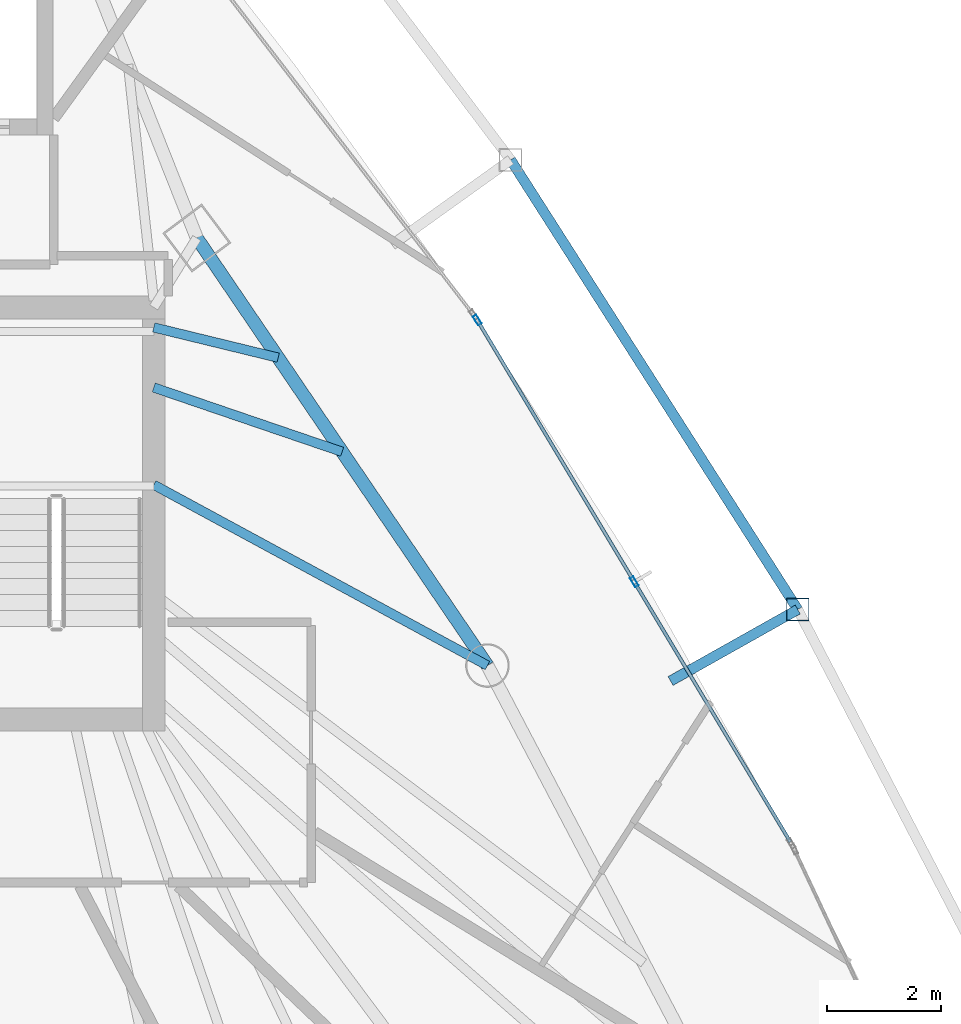
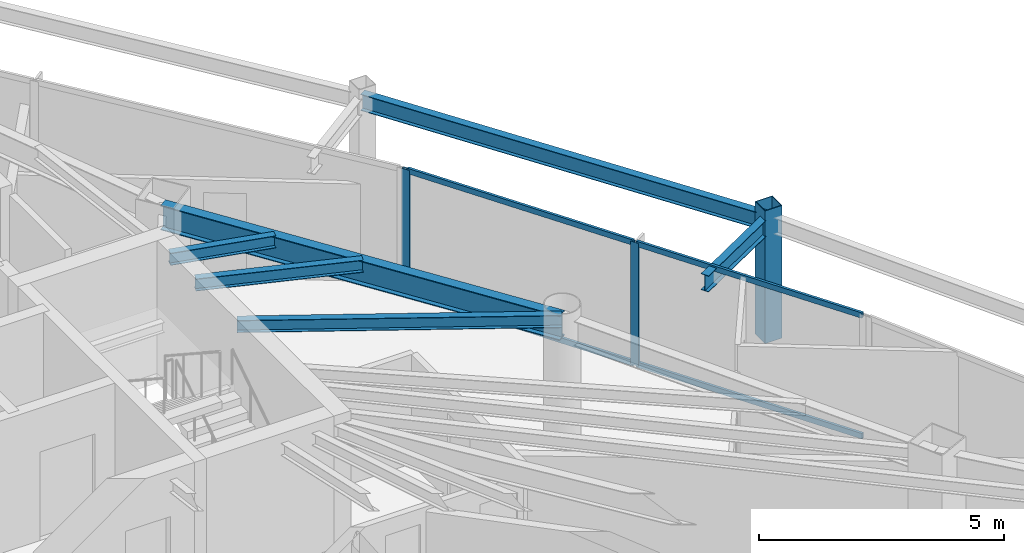
# One storey, part 18 of 29: 7 members, 6 beams, 1 element without a shape of its own.
"""IFC4 building model written with IfcOpenShell, lengths in metres."""

from ifc_helpers import new_model, si_unit, direction, frame, origin, origin_2d, place, context, subcontext, project, spatial, hollow_rectangle, i_section, extrude, material, layer, layer_set, material_profile, profile_set, type_object, element, aggregate, save


model = new_model("IFC4")

# Units and contexts
model_context = context("Model", 3, precision=1e-05, world=origin(), true_north=direction((0.0, 1.0)))
body_context = subcontext(model_context, "Body", "Model", "MODEL_VIEW")
ifc_project = project(units=[si_unit("LENGTHUNIT", "METRE"), si_unit("AREAUNIT", "SQUARE_METRE"), si_unit("VOLUMEUNIT", "CUBIC_METRE"), si_unit("PLANEANGLEUNIT", "RADIAN"), si_unit("MASSUNIT", "GRAM", prefix="KILO")], contexts=[model_context])

# Site, building, storey
site_placement = place(None, origin())
site = spatial("IfcSite", under=ifc_project, at=site_placement, CompositionType="ELEMENT")
building_placement = place(site_placement, origin())
building = spatial("IfcBuilding", under=site, at=building_placement, Name="Orvanel Arch Residences", CompositionType="ELEMENT")
storey_placement = place(building_placement, frame((0.0, 0.0, 173.75)))
storey = spatial("IfcBuildingStorey", under=building, at=storey_placement, Name="L49", CompositionType="ELEMENT", Elevation=173.75)

# Beams
ifc_material_1 = material(Name="Structural steel AS/NZS 3679.1 Grade 300 (300 MPa)", Category="steel")
ifc_material_profile_1 = material_profile(ifc_material_1, i_section(OverallWidth=0.1650390625, OverallDepth=0.303955078125, WebThickness=0.006103515625, FlangeThickness=0.01025390625, at=origin_2d()), Name="310UB40.4")
ifc_profile_set_1 = profile_set([ifc_material_profile_1], Name="Structural steel AS/NZS 3679.1 Grade 300 (300 MPa)")
beam_type_1 = type_object("IfcBeamType", Name="BJ-310UB", PredefinedType="JOIST", material=ifc_profile_set_1)
beam_1_placement = place(storey_placement, frame((39.60009765625, 30.800048828125, 2.907958984375), z_axis=(0.87925534649, -0.476350748576, 0.0), x_axis=(0.476350748576, 0.87925534649, 0.0)))
element("IfcBeam", 1, at=beam_1_placement, inside=storey, type_object=beam_type_1, Name="L49 NE Wing Floor Joist", PredefinedType="JOIST", context=body_context, shape_type="SweptSolid", body=[
    extrude(i_section(OverallWidth=0.1650390625, OverallDepth=0.303955078125, WebThickness=0.006103515625, FlangeThickness=0.01025390625, at=origin_2d()), origin(), (0.0, 0.0, 1.0), 6.631591796875),
])
beam_2_placement = place(storey_placement, frame((39.60009765625, 32.5, 2.907958984375), z_axis=(0.9464126781, -0.322959815969, 0.0), x_axis=(0.322959815969, 0.9464126781, 0.0)))
element("IfcBeam", 2, at=beam_2_placement, inside=storey, type_object=beam_type_1, Name="L49 ENE Wing Floor Joist", PredefinedType="JOIST", context=body_context, shape_type="SweptSolid", body=[
    extrude(i_section(OverallWidth=0.1650390625, OverallDepth=0.303955078125, WebThickness=0.006103515625, FlangeThickness=0.01025390625, at=origin_2d()), origin(), (0.0, 0.0, 1.0), 3.477294921875),
])
beam_3_placement = place(storey_placement, frame((39.60009765625, 33.550048828125, 2.907958984375), z_axis=(0.971638471014, -0.236471312521, 0.0), x_axis=(0.236471312521, 0.971638471014, 0.0)))
element("IfcBeam", 3, at=beam_3_placement, inside=storey, type_object=beam_type_1, Name="L49 JADD4 Wing Floor Joist", PredefinedType="JOIST", context=body_context, shape_type="SweptSolid", body=[
    extrude(i_section(OverallWidth=0.1650390625, OverallDepth=0.303955078125, WebThickness=0.006103515625, FlangeThickness=0.01025390625, at=origin_2d()), origin(), (0.0, 0.0, 1.0), 2.2373046875),
])

# Curtain wall, members
ifc_material_2 = material(Name="Bronze-anodised aluminium AA6063-T6", Category="aluminium")
ifc_layer = layer(ifc_material_2, 0.179931640625)
ifc_layer_set = layer_set([ifc_layer], Name="Bronze-anodised aluminium AA6063-T6")
curtain_wall_type = type_object("IfcCurtainWallType", Name="CW3-MID-SYS", PredefinedType="NOTDEFINED", material=ifc_layer_set)
curtain_wall_placement = place(storey_placement, origin())
curtain_wall = element("IfcCurtainWall", 4, at=curtain_wall_placement, inside=storey, type_object=curtain_wall_type, Name="L49 CW3-MID-SYS Unitised Curtain Wall", PredefinedType="NOTDEFINED")
ifc_material_profile_2 = material_profile(ifc_material_2, hollow_rectangle(XDim=0.070068359375, YDim=0.179931640625, WallThickness=0.00439453125, at=origin_2d()), Name="ALU180x70x4.5")
ifc_profile_set_2 = profile_set([ifc_material_profile_2], Name="Bronze-anodised aluminium AA6063-T6")
member_type_1 = type_object("IfcMemberType", Name="MUL-180x70", PredefinedType="MULLION", material=ifc_profile_set_2)
member_1_placement = place(storey_placement, frame((47.9970703125, 29.10400390625, 0.0), z_axis=(0.0, 0.0, 1.0), x_axis=(-0.857542204558, -0.514413615102, 0.0)))
member_1 = element("IfcMember", 5, at=member_1_placement, type_object=member_type_1, Name="CW-S3 mullion 2", PredefinedType="MULLION", context=body_context, shape_type="SweptSolid", body=[
    extrude(hollow_rectangle(XDim=0.070068359375, YDim=0.179931640625, WallThickness=0.00439453125, at=origin_2d()), origin(), (0.0, 0.0, 1.0), 3.06005859375),
])
member_2_placement = place(storey_placement, frame((45.251953125, 33.679931640625, 0.0), z_axis=(0.0, 0.0, 1.0), x_axis=(-0.857542204558, -0.514413615102, 0.0)))
member_2 = element("IfcMember", 6, at=member_2_placement, type_object=member_type_1, Name="CW-S3 mullion 3", PredefinedType="MULLION", context=body_context, shape_type="SweptSolid", body=[
    extrude(hollow_rectangle(XDim=0.070068359375, YDim=0.179931640625, WallThickness=0.00439453125, at=origin_2d()), origin(), (0.0, 0.0, 1.0), 3.06005859375),
])

# Beams
ifc_material_profile_3 = material_profile(ifc_material_1, i_section(OverallWidth=0.177978515625, OverallDepth=0.406005859375, WebThickness=0.0078125, FlangeThickness=0.0126953125, at=origin_2d()), Name="410UB59.7")
ifc_profile_set_3 = profile_set([ifc_material_profile_3], Name="Structural steel AS/NZS 3679.1 Grade 300 (300 MPa)")
beam_type_2 = type_object("IfcBeamType", Name="OB-410UB-EXT", PredefinedType="SPANDREL", material=ifc_profile_set_3)
beam_4_placement = place(storey_placement, frame((48.631103515625, 27.37109375, 2.85693359375), z_axis=(0.871803026856, 0.489856593673, 0.0), x_axis=(-0.489856593673, 0.871803026856, 0.0)))
element("IfcBeam", 7, at=beam_4_placement, inside=storey, type_object=beam_type_2, Name="L49 Outer Frame Radial Tie Beam 10", PredefinedType="SPANDREL", context=body_context, shape_type="SweptSolid", body=[
    extrude(i_section(OverallWidth=0.177978515625, OverallDepth=0.406005859375, WebThickness=0.0078125, FlangeThickness=0.0126953125, at=origin_2d()), origin(), (0.0, 0.0, 1.0), 2.5498046875),
])
beam_5_placement = place(storey_placement, frame((50.85400390625, 28.6201171875, 2.85693359375), z_axis=(-0.538142335927, 0.842853976845, 0.0), x_axis=(-0.842853976845, -0.538142335927, 0.0)))
element("IfcBeam", 8, at=beam_5_placement, inside=storey, type_object=beam_type_2, Name="L49 Outer Perimeter Floor Ring Beam 10", PredefinedType="SPANDREL", context=body_context, shape_type="SweptSolid", body=[
    extrude(i_section(OverallWidth=0.177978515625, OverallDepth=0.406005859375, WebThickness=0.0078125, FlangeThickness=0.0126953125, at=origin_2d()), origin(), (0.0, 0.0, 1.0), 9.322998046875),
])
ifc_material_profile_4 = material_profile(ifc_material_1, i_section(OverallWidth=0.22900390625, OverallDepth=0.612060546875, WebThickness=0.011962890625, FlangeThickness=0.01953125, at=origin_2d()), Name="610UB125")
ifc_profile_set_4 = profile_set([ifc_material_profile_4], Name="Structural steel AS/NZS 3679.1 Grade 300 (300 MPa)")
beam_type_3 = type_object("IfcBeamType", Name="SP-610UB", PredefinedType="SPANDREL", material=ifc_profile_set_4)
beam_6_placement = place(storey_placement, frame((45.430908203125, 27.64111328125, 2.75390625), z_axis=(-0.562154793153, 0.827032035978, 0.0), x_axis=(-0.827032035978, -0.562154793153, 0.0)))
element("IfcBeam", 9, at=beam_6_placement, inside=storey, type_object=beam_type_3, Name="L49 Perimeter Spandrel Beam 12", PredefinedType="SPANDREL", context=body_context, shape_type="SweptSolid", body=[
    extrude(i_section(OverallWidth=0.22900390625, OverallDepth=0.612060546875, WebThickness=0.011962890625, FlangeThickness=0.01953125, at=origin_2d()), origin(), (0.0, 0.0, 1.0), 9.03466796875),
])

# Member
ifc_material_3 = material(Name="Structural steel AS/NZS 1163 C450L0 (Grade 450)", Category="steel")
ifc_material_profile_5 = material_profile(ifc_material_3, hollow_rectangle(XDim=0.39990234375, YDim=0.39990234375, WallThickness=0.01611328125, at=origin_2d()), Name="SHS400x400x16")
ifc_profile_set_5 = profile_set([ifc_material_profile_5], Name="Structural steel AS/NZS 1163 C450L0 (Grade 450)")
member_type_2 = type_object("IfcMemberType", Name="ST-400SHS-EXT", PredefinedType="STRUT", material=ifc_profile_set_5)
member_3_placement = place(storey_placement, frame((50.85400390625, 28.6201171875, 0.0), z_axis=(0.0, 0.0, 1.0), x_axis=(1.0, 0.0, 0.0)))
element("IfcMember", 10, at=member_3_placement, inside=storey, type_object=member_type_2, Name="L49 Outer Perimeter Frame Post 10", PredefinedType="STRUT", context=body_context, shape_type="SweptSolid", body=[
    extrude(hollow_rectangle(XDim=0.39990234375, YDim=0.39990234375, WallThickness=0.01611328125, at=origin_2d()), origin(), (0.0, 0.0, 1.0), 3.300048828125),
])

ifc_material_profile_6 = material_profile(ifc_material_2, hollow_rectangle(XDim=0.06005859375, YDim=0.135009765625, WallThickness=0.00390625, at=origin_2d()), Name="ALU135x60x4")
ifc_profile_set_6 = profile_set([ifc_material_profile_6], Name="Bronze-anodised aluminium AA6063-T6")
member_type_3 = type_object("IfcMemberType", Name="TRN-135x60", PredefinedType="USERDEFINED", material=ifc_profile_set_6)
member_4_placement = place(storey_placement, frame((50.723876953125, 24.55810546875, 0.030029296875), z_axis=(-0.514420757855, 0.857537919796, 0.0), x_axis=(-0.857537919796, -0.514420757855, 0.0)))
member_4 = element("IfcMember", 11, at=member_4_placement, type_object=member_type_3, Name="CW-S3 transom 1.1", ObjectType="TRANSOM", PredefinedType="USERDEFINED", context=body_context, shape_type="SweptSolid", body=[
    extrude(hollow_rectangle(XDim=0.06005859375, YDim=0.135009765625, WallThickness=0.00390625, at=origin_2d()), origin(), (0.0, 0.0, 1.0), 5.26611328125),
])

member_5_placement = place(storey_placement, frame((50.723876953125, 24.55810546875, 3.030029296875), z_axis=(-0.514420757855, 0.857537919796, 0.0), x_axis=(-0.857537919796, -0.514420757855, 0.0)))
member_5 = element("IfcMember", 12, at=member_5_placement, type_object=member_type_3, Name="CW-S3 transom 1.2", ObjectType="TRANSOM", PredefinedType="USERDEFINED", context=body_context, shape_type="SweptSolid", body=[
    extrude(hollow_rectangle(XDim=0.06005859375, YDim=0.135009765625, WallThickness=0.00390625, at=origin_2d()), origin(), (0.0, 0.0, 1.0), 5.26611328125),
])

member_6_placement = place(storey_placement, frame((47.97900390625, 29.134033203125, 0.030029296875), z_axis=(-0.514420757855, 0.857537919796, 0.0), x_axis=(-0.857537919796, -0.514420757855, 0.0)))
member_6 = element("IfcMember", 13, at=member_6_placement, type_object=member_type_3, Name="CW-S3 transom 2.1", ObjectType="TRANSOM", PredefinedType="USERDEFINED", context=body_context, shape_type="SweptSolid", body=[
    extrude(hollow_rectangle(XDim=0.06005859375, YDim=0.135009765625, WallThickness=0.00390625, at=origin_2d()), origin(), (0.0, 0.0, 1.0), 5.26611328125),
])

member_7_placement = place(storey_placement, frame((47.97900390625, 29.134033203125, 3.030029296875), z_axis=(-0.514420757855, 0.857537919796, 0.0), x_axis=(-0.857537919796, -0.514420757855, 0.0)))
member_7 = element("IfcMember", 14, at=member_7_placement, type_object=member_type_3, Name="CW-S3 transom 2.2", ObjectType="TRANSOM", PredefinedType="USERDEFINED", context=body_context, shape_type="SweptSolid", body=[
    extrude(hollow_rectangle(XDim=0.06005859375, YDim=0.135009765625, WallThickness=0.00390625, at=origin_2d()), origin(), (0.0, 0.0, 1.0), 5.26611328125),
])

aggregate(curtain_wall, [member_1, member_2, member_4, member_5, member_6, member_7])

save(model, "model.ifc")
